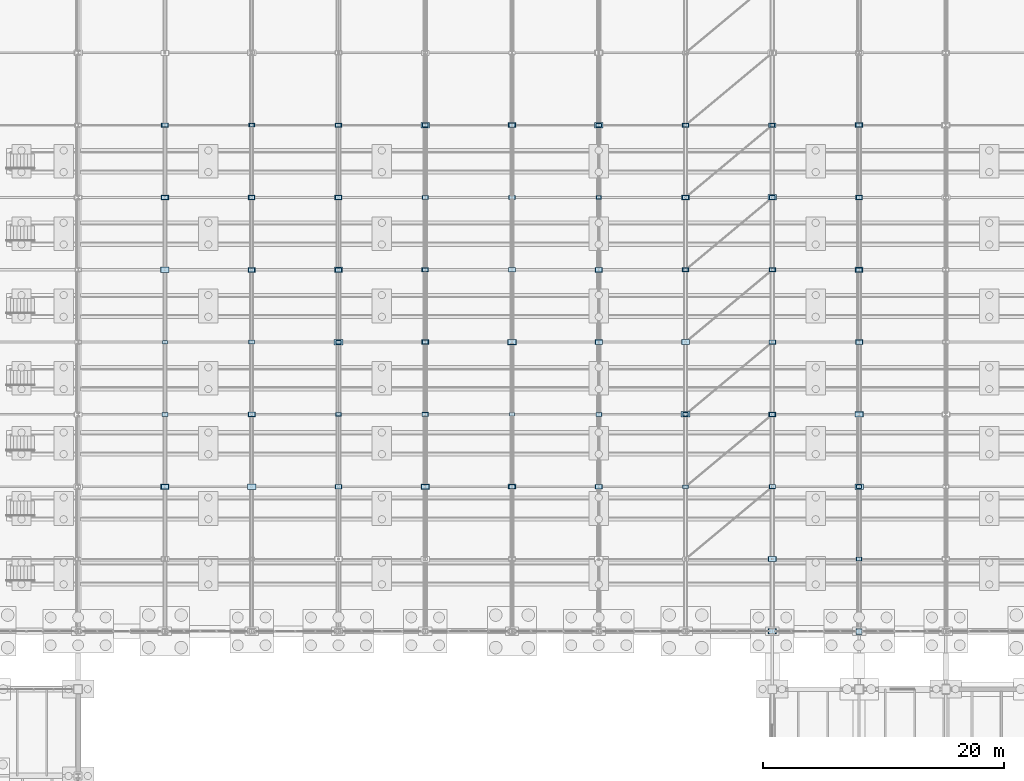
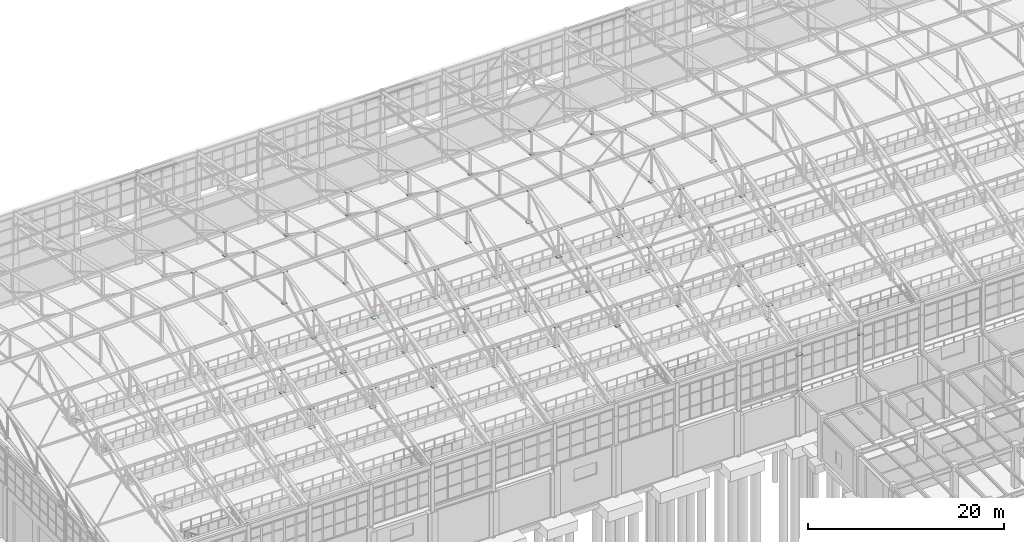
# One storey, part 257 of 293: 116 plates.
"""IFC4 building model written with IfcOpenShell, lengths in metres."""

from ifc_helpers import new_model, si_unit, direction, frame, origin, origin_2d, place, context, subcontext, project, spatial, rectangle, extrude, material, layer, layer_set, type_object, element, save


model = new_model("IFC4")

# Units and contexts
model_context = context("Model", 3, precision=1e-05, world=origin(), true_north=direction((0.0, 1.0)))
body_context = subcontext(model_context, "Body", "Model", "MODEL_VIEW")
ifc_project = project(units=[si_unit("LENGTHUNIT", "METRE"), si_unit("AREAUNIT", "SQUARE_METRE"), si_unit("VOLUMEUNIT", "CUBIC_METRE"), si_unit("PLANEANGLEUNIT", "RADIAN"), si_unit("MASSUNIT", "GRAM", prefix="KILO")], contexts=[model_context])

# Site, building, storey
site_placement = place(None, origin())
site = spatial("IfcSite", under=ifc_project, at=site_placement, CompositionType="ELEMENT")
building_placement = place(site_placement, origin())
building = spatial("IfcBuilding", under=site, at=building_placement, Name="Kemerveld Promenade Tramway Depot", CompositionType="ELEMENT")
storey_placement = place(building_placement, origin())
storey = spatial("IfcBuildingStorey", under=building, at=storey_placement, Name="L00", CompositionType="ELEMENT", Elevation=0.0)

# Plates
ifc_material = material(Name="Steel S355", Category="steel")
ifc_layer_1 = layer(ifc_material, 0.02490234375)
ifc_layer_set_1 = layer_set([ifc_layer_1], Name="PL-BP11")
plate_type_1 = type_object("IfcPlateType", Name="PL-BP11", PredefinedType="USERDEFINED", material=ifc_layer_set_1)
plate_placement = place(storey_placement, frame((122.39990234375, 84.0, 0.0), z_axis=(0.0, 0.0, 1.0), x_axis=(1.0, 0.0, 0.0)))
element("IfcPlate", 1, at=plate_placement, inside=storey, type_object=plate_type_1, Name="BP-18-N", ObjectType="BASE_PLATE", PredefinedType="USERDEFINED", context=body_context, shape_type="SweptSolid", body=[
    extrude(rectangle(XDim=0.5, YDim=0.5, at=origin_2d()), origin(), (0.0, 0.0, 1.0), 0.02490234375),
])
ifc_layer_2 = layer(ifc_material, 0.02490234375)
ifc_layer_set_2 = layer_set([ifc_layer_2], Name="PL-GS01")
plate_type_2 = type_object("IfcPlateType", Name="PL-GS01", PredefinedType="USERDEFINED", material=ifc_layer_set_2)
for number, where, z_axis, x_axis, name in (
    (2, (93.60009765625, 96.0, 11.107666015625), (0.0, 0.0, 1.0), (1.0, 0.0, 0.0), "GP-14-02"),
    (3, (72.0, 114.0, 17.087646484375), (0.0, 0.0, 1.0), (1.0, 0.0, 0.0), "GP-NODE-0172"),
    (4, (86.39990234375, 108.0, 12.427490234375), (0.0, 0.0, 1.0), (1.0, 0.0, 0.0), "GP-NODE-0208"),
    (5, (93.60009765625, 126.0, 14.6875), (0.0, 0.0, 1.0), (1.0, 0.0, 0.0), "GP-NODE-0232"),
    (6, (100.800048828125, 108.0, 15.887451171875), (0.0, 0.0, 1.0), (1.0, 0.0, 0.0), "GP-NODE-0244"),
    (7, (100.800048828125, 114.0, 13.087646484375), (0.0, 0.0, 1.0), (1.0, 0.0, 0.0), "GP-NODE-0256"),
    (8, (108.0, 120.0, 15.887451171875), (0.0, 0.0, 1.0), (1.0, 0.0, 0.0), "GP-NODE-0268"),
    (9, (115.199951171875, 102.0, 11.767578125), (0.0, 0.0, 1.0), (1.0, 0.0, 0.0), "GP-NODE-0280"),
    (10, (122.39990234375, 126.0, 11.767578125), (0.0, 0.0, 1.0), (1.0, 0.0, 0.0), "GP-NODE-0304"),
):
    element("IfcPlate", number, at=place(storey_placement, frame(where, z_axis=z_axis, x_axis=x_axis)), inside=storey, type_object=plate_type_2, Name=name, ObjectType="GUSSET_PLATE", PredefinedType="USERDEFINED", context=body_context, shape_type="SweptSolid", body=[
        extrude(rectangle(XDim=0.64990234375, YDim=0.419921875, at=origin_2d()), origin(), (0.0, 0.0, 1.0), 0.02490234375),
    ])
ifc_layer_3 = layer(ifc_material, 0.02490234375)
ifc_layer_set_3 = layer_set([ifc_layer_3], Name="PL-GS02")
plate_type_3 = type_object("IfcPlateType", Name="PL-GS02", PredefinedType="USERDEFINED", material=ifc_layer_set_3)
for number, where, z_axis, x_axis, name in (
    (11, (93.60009765625, 114.0, 13.087646484375), (0.0, 0.0, 1.0), (1.0, 0.0, 0.0), "GP-14-05"),
    (12, (64.800048828125, 96.0, 13.487548828125), (0.0, 0.0, 1.0), (1.0, 0.0, 0.0), "GP-NODE-0149"),
    (13, (72.0, 120.0, 12.427490234375), (0.0, 0.0, 1.0), (1.0, 0.0, 0.0), "GP-NODE-0173"),
    (14, (86.39990234375, 114.0, 17.087646484375), (0.0, 0.0, 1.0), (1.0, 0.0, 0.0), "GP-NODE-0209"),
    (15, (100.800048828125, 108.0, 12.427490234375), (0.0, 0.0, 1.0), (1.0, 0.0, 0.0), "GP-NODE-0245"),
    (16, (108.0, 126.0, 14.6875), (0.0, 0.0, 1.0), (1.0, 0.0, 0.0), "GP-NODE-0269"),
    (17, (115.199951171875, 108.0, 15.887451171875), (0.0, 0.0, 1.0), (1.0, 0.0, 0.0), "GP-NODE-0281"),
    (18, (115.199951171875, 114.0, 13.087646484375), (0.0, 0.0, 1.0), (1.0, 0.0, 0.0), "GP-NODE-0293"),
    (19, (122.39990234375, 120.0, 15.887451171875), (0.0, 0.0, 1.0), (1.0, 0.0, 0.0), "GP-NODE-0305"),
):
    element("IfcPlate", number, at=place(storey_placement, frame(where, z_axis=z_axis, x_axis=x_axis)), inside=storey, type_object=plate_type_3, Name=name, ObjectType="GUSSET_PLATE", PredefinedType="USERDEFINED", context=body_context, shape_type="SweptSolid", body=[
        extrude(rectangle(XDim=0.580078125, YDim=0.3798828125, at=origin_2d()), origin(), (0.0, 0.0, 1.0), 0.02490234375),
    ])
ifc_layer_4 = layer(ifc_material, 0.02001953125)
ifc_layer_set_4 = layer_set([ifc_layer_4], Name="PL-GS03")
plate_type_4 = type_object("IfcPlateType", Name="PL-GS03", PredefinedType="USERDEFINED", material=ifc_layer_set_4)
for number, where, z_axis, x_axis, name in (
    (20, (64.800048828125, 102.0, 14.68994140625), (0.0, 0.0, 1.0), (1.0, 0.0, 0.0), "GP-NODE-0150"),
    (21, (72.0, 126.0, 11.77001953125), (0.0, 0.0, 1.0), (1.0, 0.0, 0.0), "GP-NODE-0174"),
    (22, (79.199951171875, 96.0, 13.489990234375), (0.0, 0.0, 1.0), (1.0, 0.0, 0.0), "GP-NODE-0186"),
    (23, (86.39990234375, 120.0, 12.429931640625), (0.0, 0.0, 1.0), (1.0, 0.0, 0.0), "GP-NODE-0210"),
    (24, (100.800048828125, 114.0, 17.090087890625), (0.0, 0.0, 1.0), (1.0, 0.0, 0.0), "GP-NODE-0246"),
    (25, (115.199951171875, 108.0, 12.429931640625), (0.0, 0.0, 1.0), (1.0, 0.0, 0.0), "GP-NODE-0282"),
    (26, (122.39990234375, 84.0, 9.7900390625), (0.0, 0.0, 1.0), (1.0, 0.0, 0.0), "GP-NODE-0294"),
    (27, (122.39990234375, 126.0, 14.68994140625), (0.0, 0.0, 1.0), (1.0, 0.0, 0.0), "GP-NODE-0306"),
):
    element("IfcPlate", number, at=place(storey_placement, frame(where, z_axis=z_axis, x_axis=x_axis)), inside=storey, type_object=plate_type_4, Name=name, ObjectType="GUSSET_PLATE", PredefinedType="USERDEFINED", context=body_context, shape_type="SweptSolid", body=[
        extrude(rectangle(XDim=0.52001953125, YDim=0.340087890625, at=origin_2d()), origin(), (0.0, 0.0, 1.0), 0.02001953125),
    ])
ifc_layer_5 = layer(ifc_material, 0.02001953125)
ifc_layer_set_5 = layer_set([ifc_layer_5], Name="PL-GS04")
plate_type_5 = type_object("IfcPlateType", Name="PL-GS04", PredefinedType="USERDEFINED", material=ifc_layer_set_5)
for number, where, z_axis, x_axis, name in (
    (28, (108.0, 96.0, 11.110107421875), (0.0, 0.0, 1.0), (1.0, 0.0, 0.0), "GP-16-02"),
    (29, (64.800048828125, 102.0, 11.77001953125), (0.0, 0.0, 1.0), (1.0, 0.0, 0.0), "GP-NODE-0151"),
    (30, (72.0, 120.0, 15.889892578125), (0.0, 0.0, 1.0), (1.0, 0.0, 0.0), "GP-NODE-0175"),
    (31, (79.199951171875, 102.0, 14.68994140625), (0.0, 0.0, 1.0), (1.0, 0.0, 0.0), "GP-NODE-0187"),
    (32, (86.39990234375, 126.0, 11.77001953125), (0.0, 0.0, 1.0), (1.0, 0.0, 0.0), "GP-NODE-0211"),
    (33, (93.60009765625, 96.0, 13.489990234375), (0.0, 0.0, 1.0), (1.0, 0.0, 0.0), "GP-NODE-0223"),
    (34, (100.800048828125, 120.0, 12.429931640625), (0.0, 0.0, 1.0), (1.0, 0.0, 0.0), "GP-NODE-0247"),
    (35, (115.199951171875, 114.0, 17.090087890625), (0.0, 0.0, 1.0), (1.0, 0.0, 0.0), "GP-NODE-0283"),
    (36, (122.39990234375, 90.0, 12.2900390625), (0.0, 0.0, 1.0), (1.0, 0.0, 0.0), "GP-NODE-0295"),
):
    element("IfcPlate", number, at=place(storey_placement, frame(where, z_axis=z_axis, x_axis=x_axis)), inside=storey, type_object=plate_type_5, Name=name, ObjectType="GUSSET_PLATE", PredefinedType="USERDEFINED", context=body_context, shape_type="SweptSolid", body=[
        extrude(rectangle(XDim=0.47998046875, YDim=0.320068359375, at=origin_2d()), origin(), (0.0, 0.0, 1.0), 0.02001953125),
    ])
ifc_layer_6 = layer(ifc_material, 0.02001953125)
ifc_layer_set_6 = layer_set([ifc_layer_6], Name="PL-GS05")
plate_type_6 = type_object("IfcPlateType", Name="PL-GS05", PredefinedType="USERDEFINED", material=ifc_layer_set_6)
for number, where, z_axis, x_axis, name in (
    (37, (108.0, 114.0, 13.090087890625), (0.0, 0.0, 1.0), (1.0, 0.0, 0.0), "GP-16-05"),
    (38, (64.800048828125, 108.0, 15.889892578125), (0.0, 0.0, 1.0), (1.0, 0.0, 0.0), "GP-NODE-0152"),
    (39, (79.199951171875, 102.0, 11.77001953125), (0.0, 0.0, 1.0), (1.0, 0.0, 0.0), "GP-NODE-0188"),
    (40, (86.39990234375, 120.0, 15.889892578125), (0.0, 0.0, 1.0), (1.0, 0.0, 0.0), "GP-NODE-0212"),
    (41, (93.60009765625, 102.0, 14.68994140625), (0.0, 0.0, 1.0), (1.0, 0.0, 0.0), "GP-NODE-0224"),
    (42, (100.800048828125, 126.0, 11.77001953125), (0.0, 0.0, 1.0), (1.0, 0.0, 0.0), "GP-NODE-0248"),
    (43, (108.0, 96.0, 13.489990234375), (0.0, 0.0, 1.0), (1.0, 0.0, 0.0), "GP-NODE-0260"),
    (44, (115.199951171875, 120.0, 12.429931640625), (0.0, 0.0, 1.0), (1.0, 0.0, 0.0), "GP-NODE-0284"),
    (45, (122.39990234375, 90.0, 10.449951171875), (0.0, 0.0, 1.0), (1.0, 0.0, 0.0), "GP-NODE-0296"),
):
    element("IfcPlate", number, at=place(storey_placement, frame(where, z_axis=z_axis, x_axis=x_axis)), inside=storey, type_object=plate_type_6, Name=name, ObjectType="GUSSET_PLATE", PredefinedType="USERDEFINED", context=body_context, shape_type="SweptSolid", body=[
        extrude(rectangle(XDim=0.43994140625, YDim=0.300048828125, at=origin_2d()), origin(), (0.0, 0.0, 1.0), 0.02001953125),
    ])
ifc_layer_7 = layer(ifc_material, 0.01806640625)
ifc_layer_set_7 = layer_set([ifc_layer_7], Name="PL-GS06")
plate_type_7 = type_object("IfcPlateType", Name="PL-GS06", PredefinedType="USERDEFINED", material=ifc_layer_set_7)
for number, where, z_axis, x_axis, name in (
    (46, (64.800048828125, 108.0, 12.430908203125), (0.0, 0.0, 1.0), (1.0, 0.0, 0.0), "GP-NODE-0153"),
    (47, (72.0, 126.0, 14.69091796875), (0.0, 0.0, 1.0), (1.0, 0.0, 0.0), "GP-NODE-0177"),
    (48, (79.199951171875, 108.0, 15.890869140625), (0.0, 0.0, 1.0), (1.0, 0.0, 0.0), "GP-NODE-0189"),
    (49, (93.60009765625, 102.0, 11.77099609375), (0.0, 0.0, 1.0), (1.0, 0.0, 0.0), "GP-NODE-0225"),
    (50, (100.800048828125, 120.0, 15.890869140625), (0.0, 0.0, 1.0), (1.0, 0.0, 0.0), "GP-NODE-0249"),
    (51, (108.0, 102.0, 14.69091796875), (0.0, 0.0, 1.0), (1.0, 0.0, 0.0), "GP-NODE-0261"),
    (52, (115.199951171875, 126.0, 11.77099609375), (0.0, 0.0, 1.0), (1.0, 0.0, 0.0), "GP-NODE-0285"),
    (53, (122.39990234375, 96.0, 13.490966796875), (0.0, 0.0, 1.0), (1.0, 0.0, 0.0), "GP-NODE-0297"),
):
    element("IfcPlate", number, at=place(storey_placement, frame(where, z_axis=z_axis, x_axis=x_axis)), inside=storey, type_object=plate_type_7, Name=name, ObjectType="GUSSET_PLATE", PredefinedType="USERDEFINED", context=body_context, shape_type="SweptSolid", body=[
        extrude(rectangle(XDim=0.39990234375, YDim=0.280029296875, at=origin_2d()), origin(), (0.0, 0.0, 1.0), 0.01806640625),
    ])
ifc_layer_8 = layer(ifc_material, 0.028076171875)
ifc_layer_set_8 = layer_set([ifc_layer_8], Name="PL-GS07")
plate_type_8 = type_object("IfcPlateType", Name="PL-GS07", PredefinedType="USERDEFINED", material=ifc_layer_set_8)
for number, where, z_axis, x_axis, name in (
    (54, (64.800048828125, 96.0, 11.10595703125), (0.0, 0.0, 1.0), (1.0, 0.0, 0.0), "GP-10-02"),
    (55, (122.39990234375, 96.0, 11.10595703125), (0.0, 0.0, 1.0), (1.0, 0.0, 0.0), "GP-18-02"),
    (56, (64.800048828125, 114.0, 17.0859375), (0.0, 0.0, 1.0), (1.0, 0.0, 0.0), "GP-NODE-0154"),
    (57, (72.0, 96.0, 13.48583984375), (0.0, 0.0, 1.0), (1.0, 0.0, 0.0), "GP-NODE-0166"),
    (58, (79.199951171875, 108.0, 12.42578125), (0.0, 0.0, 1.0), (1.0, 0.0, 0.0), "GP-NODE-0190"),
    (59, (86.39990234375, 126.0, 14.68603515625), (0.0, 0.0, 1.0), (1.0, 0.0, 0.0), "GP-NODE-0214"),
    (60, (93.60009765625, 108.0, 15.8857421875), (0.0, 0.0, 1.0), (1.0, 0.0, 0.0), "GP-NODE-0226"),
    (61, (108.0, 102.0, 11.76611328125), (0.0, 0.0, 1.0), (1.0, 0.0, 0.0), "GP-NODE-0262"),
    (62, (115.199951171875, 84.0, 9.7861328125), (0.0, 0.0, 1.0), (1.0, 0.0, 0.0), "GP-NODE-0274"),
    (63, (115.199951171875, 120.0, 15.8857421875), (0.0, 0.0, 1.0), (1.0, 0.0, 0.0), "GP-NODE-0286"),
    (64, (122.39990234375, 102.0, 14.68603515625), (0.0, 0.0, 1.0), (1.0, 0.0, 0.0), "GP-NODE-0298"),
):
    element("IfcPlate", number, at=place(storey_placement, frame(where, z_axis=z_axis, x_axis=x_axis)), inside=storey, type_object=plate_type_8, Name=name, ObjectType="GUSSET_PLATE", PredefinedType="USERDEFINED", context=body_context, shape_type="SweptSolid", body=[
        extrude(rectangle(XDim=0.719970703125, YDim=0.4599609375, at=origin_2d()), origin(), (0.0, 0.0, 1.0), 0.028076171875),
    ])
ifc_layer_9 = layer(ifc_material, 0.02587890625)
ifc_layer_set_9 = layer_set([ifc_layer_9], Name="PL-GS08")
plate_type_9 = type_object("IfcPlateType", Name="PL-GS08", PredefinedType="USERDEFINED", material=ifc_layer_set_9)
for number, where, z_axis, x_axis, name in (
    (65, (64.800048828125, 114.0, 13.087158203125), (0.0, 0.0, 1.0), (1.0, 0.0, 0.0), "GP-10-05"),
    (66, (122.39990234375, 114.0, 13.087158203125), (0.0, 0.0, 1.0), (1.0, 0.0, 0.0), "GP-18-05"),
    (67, (64.800048828125, 120.0, 12.427001953125), (0.0, 0.0, 1.0), (1.0, 0.0, 0.0), "GP-NODE-0155"),
    (68, (72.0, 96.0, 11.107177734375), (0.0, 0.0, 1.0), (1.0, 0.0, 0.0), "GP-NODE-0167"),
    (69, (79.199951171875, 114.0, 17.087158203125), (0.0, 0.0, 1.0), (1.0, 0.0, 0.0), "GP-NODE-0191"),
    (70, (86.39990234375, 96.0, 13.487060546875), (0.0, 0.0, 1.0), (1.0, 0.0, 0.0), "GP-NODE-0203"),
    (71, (93.60009765625, 108.0, 12.427001953125), (0.0, 0.0, 1.0), (1.0, 0.0, 0.0), "GP-NODE-0227"),
    (72, (100.800048828125, 126.0, 14.68701171875), (0.0, 0.0, 1.0), (1.0, 0.0, 0.0), "GP-NODE-0251"),
    (73, (108.0, 108.0, 15.886962890625), (0.0, 0.0, 1.0), (1.0, 0.0, 0.0), "GP-NODE-0263"),
    (74, (115.199951171875, 90.0, 12.287109375), (0.0, 0.0, 1.0), (1.0, 0.0, 0.0), "GP-NODE-0275"),
    (75, (122.39990234375, 102.0, 11.76708984375), (0.0, 0.0, 1.0), (1.0, 0.0, 0.0), "GP-NODE-0299"),
):
    element("IfcPlate", number, at=place(storey_placement, frame(where, z_axis=z_axis, x_axis=x_axis)), inside=storey, type_object=plate_type_9, Name=name, ObjectType="GUSSET_PLATE", PredefinedType="USERDEFINED", context=body_context, shape_type="SweptSolid", body=[
        extrude(rectangle(XDim=0.679931640625, YDim=0.43994140625, at=origin_2d()), origin(), (0.0, 0.0, 1.0), 0.02587890625),
    ])
ifc_layer_10 = layer(ifc_material, 0.02392578125)
ifc_layer_set_10 = layer_set([ifc_layer_10], Name="PL-GS09")
plate_type_10 = type_object("IfcPlateType", Name="PL-GS09", PredefinedType="USERDEFINED", material=ifc_layer_set_10)
for number, where, z_axis, x_axis, name in (
    (76, (115.199951171875, 84.0, 5.451416015625), (0.0, 0.0, 1.0), (1.0, 0.0, 0.0), "GP-NODE-0060"),
    (77, (64.800048828125, 126.0, 11.76806640625), (0.0, 0.0, 1.0), (1.0, 0.0, 0.0), "GP-NODE-0156"),
    (78, (72.0, 102.0, 14.68798828125), (0.0, 0.0, 1.0), (1.0, 0.0, 0.0), "GP-NODE-0168"),
    (79, (79.199951171875, 120.0, 12.427978515625), (0.0, 0.0, 1.0), (1.0, 0.0, 0.0), "GP-NODE-0192"),
    (80, (86.39990234375, 96.0, 11.108154296875), (0.0, 0.0, 1.0), (1.0, 0.0, 0.0), "GP-NODE-0204"),
    (81, (93.60009765625, 114.0, 17.088134765625), (0.0, 0.0, 1.0), (1.0, 0.0, 0.0), "GP-NODE-0228"),
    (82, (100.800048828125, 96.0, 13.488037109375), (0.0, 0.0, 1.0), (1.0, 0.0, 0.0), "GP-NODE-0240"),
    (83, (108.0, 108.0, 12.427978515625), (0.0, 0.0, 1.0), (1.0, 0.0, 0.0), "GP-NODE-0264"),
    (84, (115.199951171875, 90.0, 10.447998046875), (0.0, 0.0, 1.0), (1.0, 0.0, 0.0), "GP-NODE-0276"),
    (85, (115.199951171875, 126.0, 14.68798828125), (0.0, 0.0, 1.0), (1.0, 0.0, 0.0), "GP-NODE-0288"),
    (86, (122.39990234375, 108.0, 15.887939453125), (0.0, 0.0, 1.0), (1.0, 0.0, 0.0), "GP-NODE-0300"),
):
    element("IfcPlate", number, at=place(storey_placement, frame(where, z_axis=z_axis, x_axis=x_axis)), inside=storey, type_object=plate_type_10, Name=name, ObjectType="GUSSET_PLATE", PredefinedType="USERDEFINED", context=body_context, shape_type="SweptSolid", body=[
        extrude(rectangle(XDim=0.6201171875, YDim=0.39990234375, at=origin_2d()), origin(), (0.0, 0.0, 1.0), 0.02392578125),
    ])
ifc_layer_11 = layer(ifc_material, 0.02197265625)
ifc_layer_set_11 = layer_set([ifc_layer_11], Name="PL-GS10")
plate_type_11 = type_object("IfcPlateType", Name="PL-GS10", PredefinedType="USERDEFINED", material=ifc_layer_set_11)
for number, where, z_axis, x_axis, name in (
    (87, (79.199951171875, 96.0, 11.109130859375), (0.0, 0.0, 1.0), (1.0, 0.0, 0.0), "GP-12-02"),
    (88, (64.800048828125, 120.0, 15.888916015625), (0.0, 0.0, 1.0), (1.0, 0.0, 0.0), "GP-NODE-0157"),
    (89, (72.0, 102.0, 11.76904296875), (0.0, 0.0, 1.0), (1.0, 0.0, 0.0), "GP-NODE-0169"),
    (90, (79.199951171875, 126.0, 11.76904296875), (0.0, 0.0, 1.0), (1.0, 0.0, 0.0), "GP-NODE-0193"),
    (91, (86.39990234375, 102.0, 14.68896484375), (0.0, 0.0, 1.0), (1.0, 0.0, 0.0), "GP-NODE-0205"),
    (92, (93.60009765625, 120.0, 12.428955078125), (0.0, 0.0, 1.0), (1.0, 0.0, 0.0), "GP-NODE-0229"),
    (93, (100.800048828125, 96.0, 11.109130859375), (0.0, 0.0, 1.0), (1.0, 0.0, 0.0), "GP-NODE-0241"),
    (94, (108.0, 114.0, 17.089111328125), (0.0, 0.0, 1.0), (1.0, 0.0, 0.0), "GP-NODE-0265"),
    (95, (115.199951171875, 96.0, 13.489013671875), (0.0, 0.0, 1.0), (1.0, 0.0, 0.0), "GP-NODE-0277"),
    (96, (122.39990234375, 108.0, 12.428955078125), (0.0, 0.0, 1.0), (1.0, 0.0, 0.0), "GP-NODE-0301"),
):
    element("IfcPlate", number, at=place(storey_placement, frame(where, z_axis=z_axis, x_axis=x_axis)), inside=storey, type_object=plate_type_11, Name=name, ObjectType="GUSSET_PLATE", PredefinedType="USERDEFINED", context=body_context, shape_type="SweptSolid", body=[
        extrude(rectangle(XDim=0.550048828125, YDim=0.360107421875, at=origin_2d()), origin(), (0.0, 0.0, 1.0), 0.02197265625),
    ])
ifc_layer_12 = layer(ifc_material, 0.02001953125)
ifc_layer_set_12 = layer_set([ifc_layer_12], Name="PL-GS11")
plate_type_12 = type_object("IfcPlateType", Name="PL-GS11", PredefinedType="USERDEFINED", material=ifc_layer_set_12)
for number, where, z_axis, x_axis, name in (
    (97, (79.199951171875, 114.0, 13.090087890625), (0.0, 0.0, 1.0), (1.0, 0.0, 0.0), "GP-12-05"),
    (98, (64.800048828125, 126.0, 14.68994140625), (0.0, 0.0, 1.0), (1.0, 0.0, 0.0), "GP-NODE-0158"),
    (99, (72.0, 108.0, 15.889892578125), (0.0, 0.0, 1.0), (1.0, 0.0, 0.0), "GP-NODE-0170"),
    (100, (72.0, 114.0, 13.090087890625), (0.0, 0.0, 1.0), (1.0, 0.0, 0.0), "GP-NODE-0182"),
    (101, (79.199951171875, 120.0, 15.889892578125), (0.0, 0.0, 1.0), (1.0, 0.0, 0.0), "GP-NODE-0194"),
    (102, (86.39990234375, 102.0, 11.77001953125), (0.0, 0.0, 1.0), (1.0, 0.0, 0.0), "GP-NODE-0206"),
    (103, (93.60009765625, 126.0, 11.77001953125), (0.0, 0.0, 1.0), (1.0, 0.0, 0.0), "GP-NODE-0230"),
    (104, (100.800048828125, 102.0, 14.68994140625), (0.0, 0.0, 1.0), (1.0, 0.0, 0.0), "GP-NODE-0242"),
    (105, (108.0, 120.0, 12.429931640625), (0.0, 0.0, 1.0), (1.0, 0.0, 0.0), "GP-NODE-0266"),
    (106, (115.199951171875, 96.0, 11.110107421875), (0.0, 0.0, 1.0), (1.0, 0.0, 0.0), "GP-NODE-0278"),
    (107, (122.39990234375, 114.0, 17.090087890625), (0.0, 0.0, 1.0), (1.0, 0.0, 0.0), "GP-NODE-0302"),
):
    element("IfcPlate", number, at=place(storey_placement, frame(where, z_axis=z_axis, x_axis=x_axis)), inside=storey, type_object=plate_type_12, Name=name, ObjectType="GUSSET_PLATE", PredefinedType="USERDEFINED", context=body_context, shape_type="SweptSolid", body=[
        extrude(rectangle(XDim=0.5, YDim=0.330078125, at=origin_2d()), origin(), (0.0, 0.0, 1.0), 0.02001953125),
    ])
ifc_layer_13 = layer(ifc_material, 0.01806640625)
ifc_layer_set_13 = layer_set([ifc_layer_13], Name="PL-GS12")
plate_type_13 = type_object("IfcPlateType", Name="PL-GS12", PredefinedType="USERDEFINED", material=ifc_layer_set_13)
for number, where, z_axis, x_axis, name in (
    (108, (72.0, 108.0, 12.430908203125), (0.0, 0.0, 1.0), (1.0, 0.0, 0.0), "GP-NODE-0171"),
    (109, (79.199951171875, 126.0, 14.69091796875), (0.0, 0.0, 1.0), (1.0, 0.0, 0.0), "GP-NODE-0195"),
    (110, (86.39990234375, 108.0, 15.890869140625), (0.0, 0.0, 1.0), (1.0, 0.0, 0.0), "GP-NODE-0207"),
    (111, (86.39990234375, 114.0, 13.091064453125), (0.0, 0.0, 1.0), (1.0, 0.0, 0.0), "GP-NODE-0219"),
    (112, (93.60009765625, 120.0, 15.890869140625), (0.0, 0.0, 1.0), (1.0, 0.0, 0.0), "GP-NODE-0231"),
    (113, (100.800048828125, 102.0, 11.77099609375), (0.0, 0.0, 1.0), (1.0, 0.0, 0.0), "GP-NODE-0243"),
    (114, (108.0, 126.0, 11.77099609375), (0.0, 0.0, 1.0), (1.0, 0.0, 0.0), "GP-NODE-0267"),
    (115, (115.199951171875, 102.0, 14.69091796875), (0.0, 0.0, 1.0), (1.0, 0.0, 0.0), "GP-NODE-0279"),
    (116, (122.39990234375, 120.0, 12.430908203125), (0.0, 0.0, 1.0), (1.0, 0.0, 0.0), "GP-NODE-0303"),
):
    element("IfcPlate", number, at=place(storey_placement, frame(where, z_axis=z_axis, x_axis=x_axis)), inside=storey, type_object=plate_type_13, Name=name, ObjectType="GUSSET_PLATE", PredefinedType="USERDEFINED", context=body_context, shape_type="SweptSolid", body=[
        extrude(rectangle(XDim=0.4599609375, YDim=0.31005859375, at=origin_2d()), origin(), (0.0, 0.0, 1.0), 0.01806640625),
    ])

save(model, "model.ifc")
